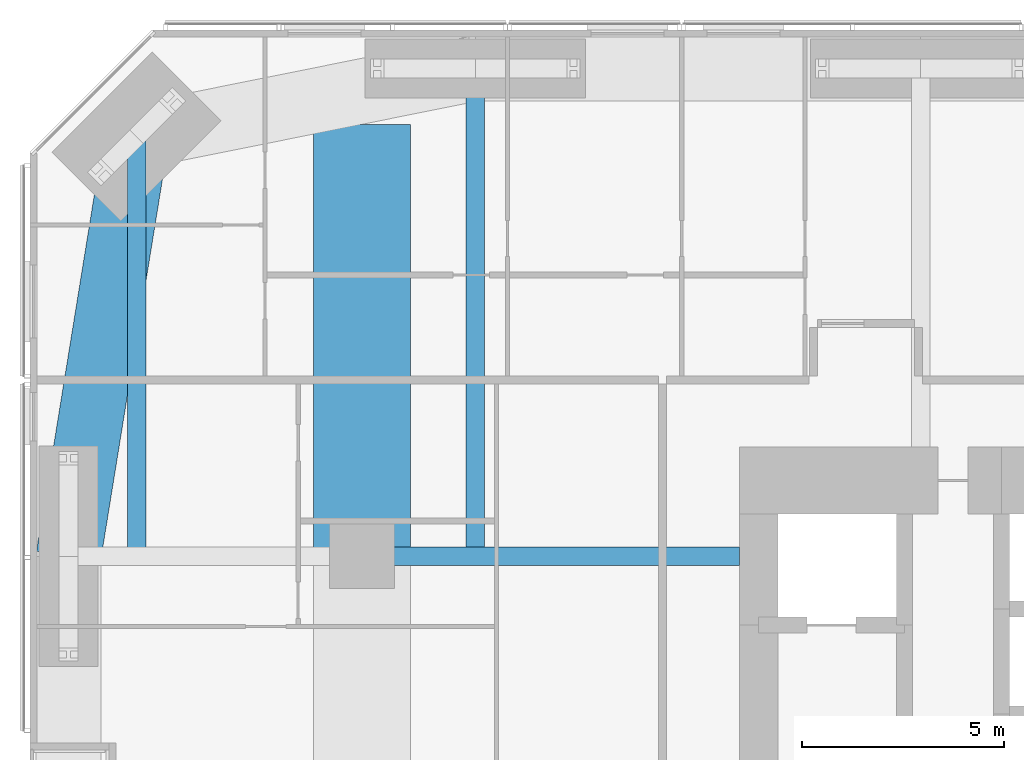
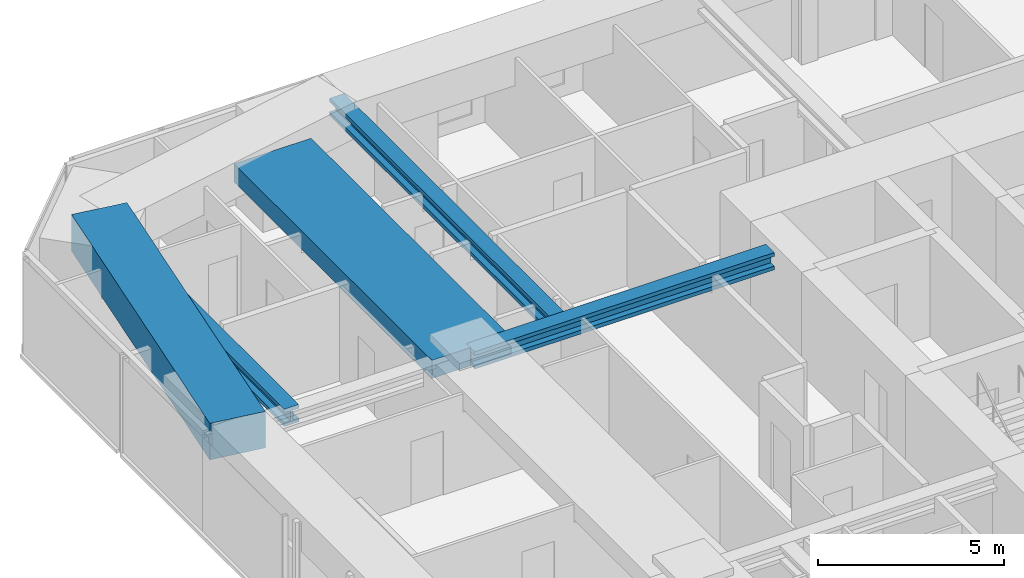
# One storey, part 7 of 23: 5 beams.
"""IFC4 building model written with IfcOpenShell, lengths in metres."""

from ifc_helpers import new_model, si_unit, direction, frame, origin, origin_2d, place, context, subcontext, project, spatial, rectangle, i_section, extrude, material, material_profile, profile_set, type_object, element, save


model = new_model("IFC4")

# Units and contexts
model_context = context("Model", 3, precision=1e-05, world=origin(), true_north=direction((0.0, 1.0)))
body_context = subcontext(model_context, "Body", "Model", "MODEL_VIEW")
ifc_project = project(units=[si_unit("LENGTHUNIT", "METRE"), si_unit("AREAUNIT", "SQUARE_METRE"), si_unit("VOLUMEUNIT", "CUBIC_METRE"), si_unit("PLANEANGLEUNIT", "RADIAN"), si_unit("MASSUNIT", "GRAM", prefix="KILO")], contexts=[model_context])

# Site, building, storey
site_placement = place(None, origin())
site = spatial("IfcSite", under=ifc_project, at=site_placement, CompositionType="ELEMENT")
building_placement = place(site_placement, origin())
building = spatial("IfcBuilding", under=site, at=building_placement, Name="Jalousie Tower", CompositionType="ELEMENT")
storey_placement = place(building_placement, frame((0.0, 0.0, 24.35009765625)))
storey = spatial("IfcBuildingStorey", under=building, at=storey_placement, Name="L05", CompositionType="ELEMENT", Elevation=24.35009765625)

# Beams
ifc_material_1 = material(Name="Steel ASTM A992 Grade 50", Category="steel")
ifc_material_profile_1 = material_profile(ifc_material_1, i_section(OverallWidth=0.45458984375, OverallDepth=0.569091796875, WebThickness=0.077880859375, FlangeThickness=0.124755859375, at=origin_2d()), Name="W14X730")
ifc_profile_set_1 = profile_set([ifc_material_profile_1], Name="Steel ASTM A992 Grade 50")
beam_type_1 = type_object("IfcBeamType", Name="LEAN COLLECTOR W14X730", PredefinedType="BEAM", material=ifc_profile_set_1)
beam_1_placement = place(storey_placement, frame((10.199951171875, 25.0, 2.825439453125), z_axis=(1.0, 0.0, 0.0), x_axis=(0.0, 1.0, 0.0)))
element("IfcBeam", 1, at=beam_1_placement, inside=storey, type_object=beam_type_1, Name="Lean collector under L06", PredefinedType="BEAM", context=body_context, shape_type="SweptSolid", body=[
    extrude(i_section(OverallWidth=0.45458984375, OverallDepth=0.569091796875, WebThickness=0.077880859375, FlangeThickness=0.124755859375, at=origin_2d()), origin(), (0.0, 0.0, 1.0), 9.324951171875),
])
beam_2_placement = place(storey_placement, frame((4.63134765625, 35.36865234375, 2.825439453125), z_axis=(0.0, -1.0, 0.0), x_axis=(1.0, 0.0, 0.0)))
element("IfcBeam", 2, at=beam_2_placement, inside=storey, type_object=beam_type_1, Name="Lean collector under L06", PredefinedType="BEAM", context=body_context, shape_type="SweptSolid", body=[
    extrude(i_section(OverallWidth=0.45458984375, OverallDepth=0.569091796875, WebThickness=0.077880859375, FlangeThickness=0.124755859375, at=origin_2d()), origin(), (0.0, 0.0, 1.0), 10.36865234375),
])
beam_3_placement = place(storey_placement, frame((13.0, 37.050048828125, 2.825439453125), z_axis=(0.0, -1.0, 0.0), x_axis=(1.0, 0.0, 0.0)))
element("IfcBeam", 3, at=beam_3_placement, inside=storey, type_object=beam_type_1, Name="Lean collector under L06", PredefinedType="BEAM", context=body_context, shape_type="SweptSolid", body=[
    extrude(i_section(OverallWidth=0.45458984375, OverallDepth=0.569091796875, WebThickness=0.077880859375, FlangeThickness=0.124755859375, at=origin_2d()), origin(), (0.0, 0.0, 1.0), 12.050048828125),
])
ifc_material_2 = material(Name="Concrete f'c 40 MPa", Category="concrete")
ifc_material_profile_2 = material_profile(ifc_material_2, rectangle(XDim=1.60009765625, YDim=1.199951171875, at=origin_2d()), Name="RC 1600x1200")
ifc_profile_set_2 = profile_set([ifc_material_profile_2], Name="Concrete f'c 40 MPa")
beam_type_2 = type_object("IfcBeamType", Name="RC BEAM 1600x1200", PredefinedType="BEAM", material=ifc_profile_set_2)
beam_4_placement = place(storey_placement, frame((4.63134765625, 35.36865234375, 2.75), z_axis=(-0.160070546476, -0.987105577003, 0.0), x_axis=(0.987105577003, -0.160070546476, 0.0)))
element("IfcBeam", 4, at=beam_4_placement, inside=storey, type_object=beam_type_2, Name="Edge band beam 12-13 under L06", PredefinedType="BEAM", context=body_context, shape_type="SweptSolid", body=[
    extrude(rectangle(XDim=1.60009765625, YDim=1.199951171875, at=origin_2d()), origin(), (0.0, 0.0, 1.0), 10.504150390625),
])
ifc_material_3 = material(Name="Concrete f'c 40 MPa", Category="concrete")
ifc_material_profile_3 = material_profile(ifc_material_3, rectangle(XDim=2.39990234375, YDim=0.60009765625, at=origin_2d()), Name="RC 2400x600")
ifc_profile_set_3 = profile_set([ifc_material_profile_3], Name="Concrete f'c 40 MPa")
beam_type_3 = type_object("IfcBeamType", Name="RC BEAM 2400x600", PredefinedType="BEAM", material=ifc_profile_set_3)
beam_5_placement = place(storey_placement, frame((10.199951171875, 25.0, 2.809814453125), z_axis=(0.0, 1.0, 0.0), x_axis=(-1.0, 0.0, 0.0)))
element("IfcBeam", 5, at=beam_5_placement, inside=storey, type_object=beam_type_3, Name="Floor band beam under L06", PredefinedType="BEAM", context=body_context, shape_type="SweptSolid", body=[
    extrude(rectangle(XDim=2.39990234375, YDim=0.60009765625, at=origin_2d()), origin(), (0.0, 0.0, 1.0), 10.67138671875),
])

save(model, "model.ifc")
